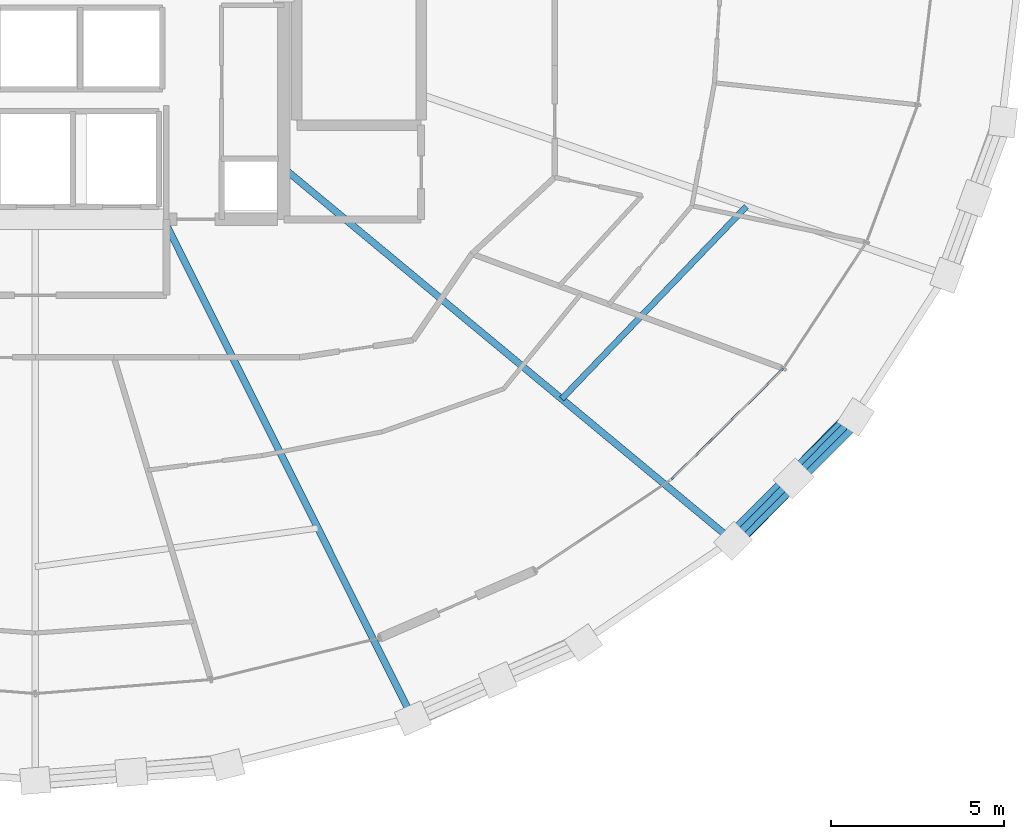
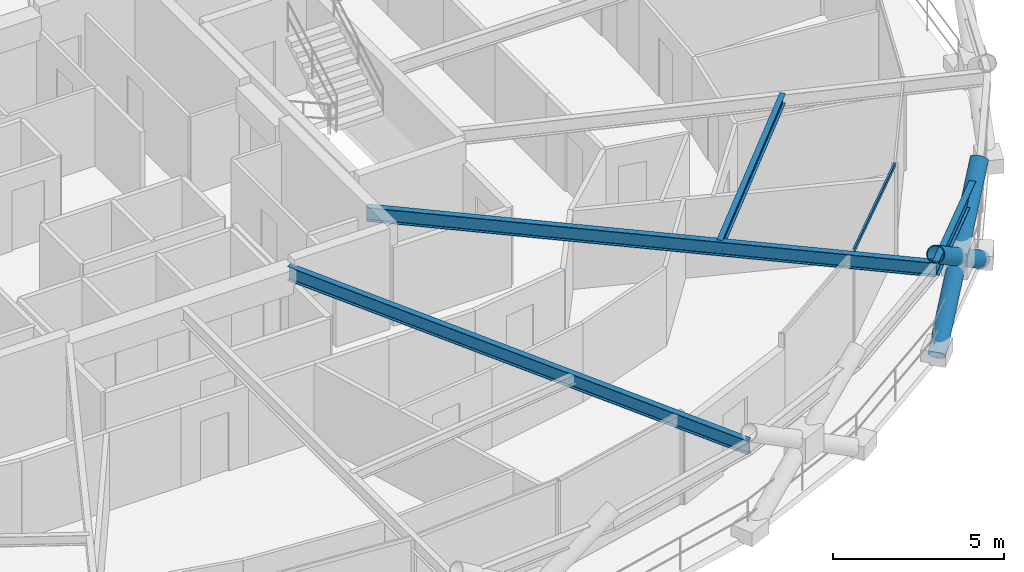
# One storey, part 6 of 21: 4 beams, 4 members, 1 element without a shape of its own.
"""IFC4 building model written with IfcOpenShell, lengths in metres."""

from ifc_helpers import new_model, si_unit, direction, frame, origin, origin_2d, place, context, subcontext, project, spatial, hollow_rectangle, hollow_circle, i_section, extrude, material, layer, layer_set, material_profile, profile_set, type_object, element, aggregate, save


model = new_model("IFC4")

# Units and contexts
model_context = context("Model", 3, precision=1e-05, world=origin(), true_north=direction((0.0, 1.0)))
body_context = subcontext(model_context, "Body", "Model", "MODEL_VIEW")
ifc_project = project(units=[si_unit("LENGTHUNIT", "METRE"), si_unit("AREAUNIT", "SQUARE_METRE"), si_unit("VOLUMEUNIT", "CUBIC_METRE"), si_unit("PLANEANGLEUNIT", "RADIAN"), si_unit("MASSUNIT", "GRAM", prefix="KILO")], contexts=[model_context])

# Site, building, storey
site_placement = place(None, origin())
site = spatial("IfcSite", under=ifc_project, at=site_placement, CompositionType="ELEMENT")
building_placement = place(site_placement, origin())
building = spatial("IfcBuilding", under=site, at=building_placement, Name="Veldorina Hangang Commons", CompositionType="ELEMENT")
storey_placement = place(building_placement, frame((0.0, 0.0, 128.0)))
storey = spatial("IfcBuildingStorey", under=building, at=storey_placement, Name="L32", CompositionType="ELEMENT", Elevation=128.0)

# Beams
ifc_material_1 = material(Name="Steel SM420-TMC", Category="steel")
ifc_material_profile_1 = material_profile(ifc_material_1, i_section(OverallWidth=0.199951171875, OverallDepth=0.5, WebThickness=0.010009765625, FlangeThickness=0.01611328125, FilletRadius=0.01611328125, at=origin_2d()), Name="H-500x200x10x16")
ifc_profile_set_1 = profile_set([ifc_material_profile_1], Name="Steel SM420-TMC")
beam_type_1 = type_object("IfcBeamType", Name="BM-FG500", PredefinedType="BEAM", material=ifc_profile_set_1)
beam_1_placement = place(storey_placement, frame((35.7197265625, 16.550048828125, 3.10009765625), z_axis=(0.446698926258, -0.89468434058, 0.0), x_axis=(0.89468434058, 0.446698926258, 0.0)))
element("IfcBeam", 1, at=beam_1_placement, inside=storey, type_object=beam_type_1, Name="L32 radial floor girder 14", PredefinedType="BEAM", context=body_context, shape_type="SweptSolid", body=[
    extrude(i_section(OverallWidth=0.199951171875, OverallDepth=0.5, WebThickness=0.010009765625, FlangeThickness=0.01611328125, FilletRadius=0.01611328125, at=origin_2d()), origin(), (0.0, 0.0, 1.0), 16.130615234375),
])
beam_2_placement = place(storey_placement, frame((39.199951171875, 18.02685546875, 3.10009765625), z_axis=(0.769634147532, -0.638485143878, 0.0), x_axis=(0.638485143878, 0.769634147532, 0.0)))
element("IfcBeam", 2, at=beam_2_placement, inside=storey, type_object=beam_type_1, Name="L32 radial floor girder 15", PredefinedType="BEAM", context=body_context, shape_type="SweptSolid", body=[
    extrude(i_section(OverallWidth=0.199951171875, OverallDepth=0.5, WebThickness=0.010009765625, FlangeThickness=0.01611328125, FilletRadius=0.01611328125, at=origin_2d()), origin(), (0.0, 0.0, 1.0), 16.875),
])
ifc_material_2 = material(Name="Steel SM355-TMC", Category="steel")
ifc_material_profile_2 = material_profile(ifc_material_2, i_section(OverallWidth=0.175048828125, OverallDepth=0.35009765625, WebThickness=0.007080078125, FlangeThickness=0.010986328125, FilletRadius=0.012939453125, at=origin_2d()), Name="H-350x175x7x11")
ifc_profile_set_2 = profile_set([ifc_material_profile_2], Name="Steel SM355-TMC")
beam_type_2 = type_object("IfcBeamType", Name="BM-JST350", PredefinedType="JOIST", material=ifc_profile_set_2)
beam_3_placement = place(storey_placement, frame((47.252197265625, 11.3466796875, 3.175048828125), z_axis=(0.692437098705, 0.721478249386, 0.0), x_axis=(-0.721478249386, 0.692437098705, 0.0)))
element("IfcBeam", 3, at=beam_3_placement, inside=storey, type_object=beam_type_2, Name="L32 secondary floor joist 15", PredefinedType="JOIST", context=body_context, shape_type="SweptSolid", body=[
    extrude(i_section(OverallWidth=0.175048828125, OverallDepth=0.35009765625, WebThickness=0.007080078125, FlangeThickness=0.010986328125, FilletRadius=0.012939453125, at=origin_2d()), origin(), (0.0, 0.0, 1.0), 7.725830078125),
])
ifc_material_profile_3 = material_profile(ifc_material_1, i_section(OverallWidth=0.199951171875, OverallDepth=0.5, WebThickness=0.010009765625, FlangeThickness=0.01611328125, FilletRadius=0.01611328125, at=origin_2d()), Name="H-500x200x10x16")
ifc_profile_set_3 = profile_set([ifc_material_profile_3], Name="Steel SM420-TMC")
beam_type_3 = type_object("IfcBeamType", Name="BM-RB500", PredefinedType="BEAM", material=ifc_profile_set_3)
beam_4_placement = place(storey_placement, frame((52.1875, 7.25244140625, 3.10009765625), z_axis=(0.703276147778, 0.710916774289, 0.0), x_axis=(-0.710916774289, 0.703276147778, 0.0)))
element("IfcBeam", 4, at=beam_4_placement, inside=storey, type_object=beam_type_3, Name="L32 perimeter hoop ring beam 28", PredefinedType="BEAM", context=body_context, shape_type="SweptSolid", body=[
    extrude(i_section(OverallWidth=0.199951171875, OverallDepth=0.5, WebThickness=0.010009765625, FlangeThickness=0.01611328125, FilletRadius=0.01611328125, at=origin_2d()), origin(), (0.0, 0.0, 1.0), 5.048583984375),
])

# Curtain wall, member
ifc_material_3 = material(Name="Glass Low-E Triple IGU", Category="glass")
ifc_layer = layer(ifc_material_3, 0.179931640625)
ifc_layer_set = layer_set([ifc_layer], Name="Glass Low-E Triple IGU")
curtain_wall_type = type_object("IfcCurtainWallType", Name="CW-SYS-Z2", PredefinedType="NOTDEFINED", material=ifc_layer_set)
curtain_wall_placement = place(storey_placement, origin())
curtain_wall = element("IfcCurtainWall", 5, at=curtain_wall_placement, inside=storey, type_object=curtain_wall_type, Name="L32 unitised curtain wall CW-L32-R2", PredefinedType="NOTDEFINED")
ifc_material_4 = material(Name="Aluminium Anodized AA6063-T6", Category="aluminium")
ifc_material_profile_4 = material_profile(ifc_material_4, hollow_rectangle(XDim=0.06005859375, YDim=0.139892578125, WallThickness=0.00341796875, at=origin_2d()), Name="ALU-RHS-140x60x3.5")
ifc_profile_set_4 = profile_set([ifc_material_profile_4], Name="Aluminium Anodized AA6063-T6")
member_type_1 = type_object("IfcMemberType", Name="CW-TRN-140", PredefinedType="USERDEFINED", material=ifc_profile_set_4)
member_1_placement = place(storey_placement, frame((50.43115234375, 9.0166015625, 3.27001953125), z_axis=(0.710443204792, 0.703754540138, 0.0), x_axis=(-0.703754540138, 0.710443204792, 0.0)))
member_1 = element("IfcMember", 6, at=member_1_placement, type_object=member_type_1, Name="CW-L32-R2 facet 2 transom 1", ObjectType="TRANSOM", PredefinedType="USERDEFINED", context=body_context, shape_type="SweptSolid", body=[
    extrude(hollow_rectangle(XDim=0.06005859375, YDim=0.139892578125, WallThickness=0.00341796875, at=origin_2d()), origin(), (0.0, 0.0, 1.0), 4.5625),
])
aggregate(curtain_wall, [member_1])

# Members
ifc_material_profile_5 = material_profile(ifc_material_1, hollow_circle(Radius=0.27490234375, WallThickness=0.028076171875, at=origin_2d()), Name="CHS-550x28")
ifc_profile_set_5 = profile_set([ifc_material_profile_5], Name="Steel SM420-TMC")
member_type_2 = type_object("IfcMemberType", Name="DG-CHS550", PredefinedType="BRACE", material=ifc_profile_set_5)
member_2_placement = place(storey_placement, frame((52.212890625, 7.234619140625, 0.0), z_axis=(0.56823709699, 0.582581940828, 0.581123811098), x_axis=(-0.715865185106, 0.698238524254, 0.0)))
element("IfcMember", 7, at=member_2_placement, inside=storey, type_object=member_type_2, Name="L32 continuous perimeter diagrid brace 28", PredefinedType="BRACE", context=body_context, shape_type="SweptSolid", body=[
    extrude(hollow_circle(Radius=0.27490234375, WallThickness=0.028076171875, at=origin_2d()), origin(), (0.0, 0.0, 1.0), 6.195068359375),
])
member_3_placement = place(storey_placement, frame((55.76806640625, 10.827392578125, 0.0), z_axis=(-0.577242509165, -0.575121160622, 0.579678131567), x_axis=(0.705803895558, -0.708407270583, 0.0)))
element("IfcMember", 8, at=member_3_placement, inside=storey, type_object=member_type_2, Name="L32 split perimeter diagrid lower brace 29", PredefinedType="BRACE", context=body_context, shape_type="SweptSolid", body=[
    extrude(hollow_circle(Radius=0.27490234375, WallThickness=0.028076171875, at=origin_2d()), origin(), (0.0, 0.0, 1.0), 3.107421875),
])
member_4_placement = place(storey_placement, frame((53.974365234375, 9.040283203125, 1.80126953125), z_axis=(-0.577163775582, -0.575196887034, 0.579681392924), x_axis=(0.705898838934, -0.708312663441, 0.0)))
element("IfcMember", 9, at=member_4_placement, inside=storey, type_object=member_type_2, Name="L32 split perimeter diagrid upper brace 29", PredefinedType="BRACE", context=body_context, shape_type="SweptSolid", body=[
    extrude(hollow_circle(Radius=0.27490234375, WallThickness=0.028076171875, at=origin_2d()), origin(), (0.0, 0.0, 1.0), 3.10302734375),
])

save(model, "model.ifc")
